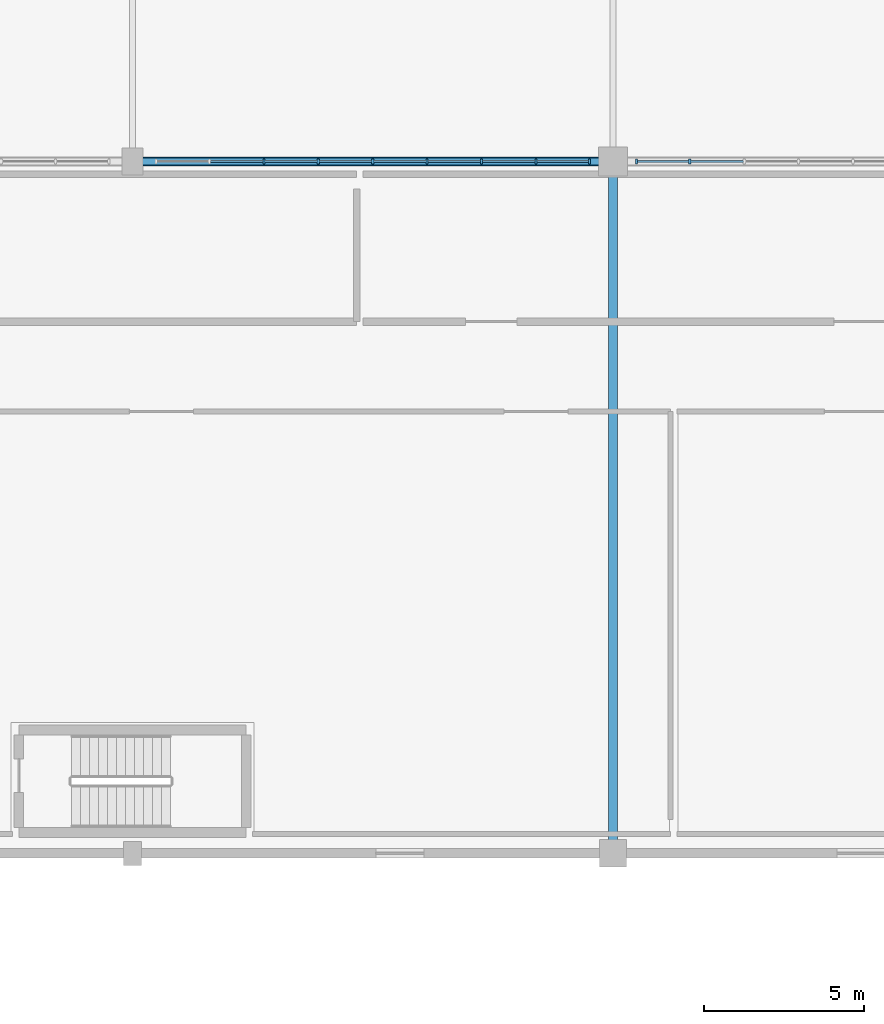
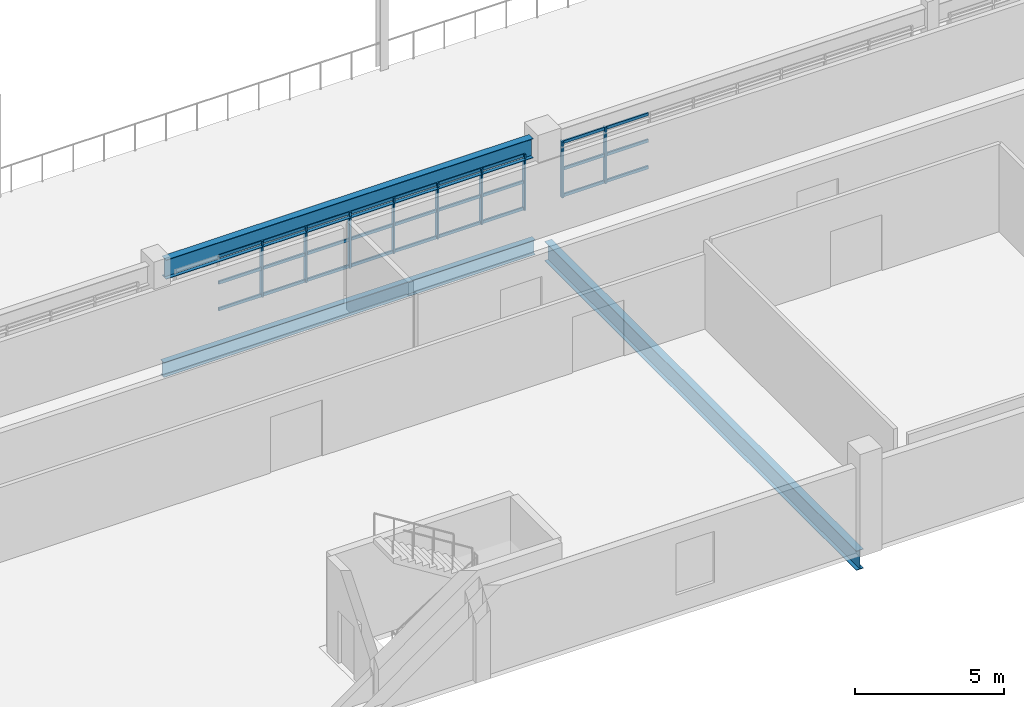
# One storey, part 11 of 92: 36 members, 3 beams, 2 elements without a shape of their own.
"""IFC4 building model written with IfcOpenShell, lengths in metres."""

import ifcopenshell
import ifcopenshell.guid

model = None  # the IFC model being written
_history = None  # IfcOwnerHistory: only IFC2X3 demands one
_inside = {}  # id of a spatial element -> (the spatial element, [elements in it])
_under = {}  # id of a project, library or spatial element -> (it, [spatial elements below it])
_declared = {}  # id of a project -> (the project, [libraries it declares])
_typed = {}  # id of a type object -> (the type object, [elements of that type])
_made_of = {}  # id of a material, layer set ... -> (it, [elements and type objects made of it])


def new_model(schema):
    """Start an empty IFC model of exactly this schema.

    Asked for "IFC4X3", IfcOpenShell would pick the latest addendum, in which some entities
    have other attributes; the version numbers below select the first issue.
    IFC2X3 requires an IfcOwnerHistory on every rooted entity: one is made here for all.
    """
    global model, _history
    if schema == "IFC4X3":
        model = ifcopenshell.file(schema_version=(4, 3, 0, 0))
    else:
        model = ifcopenshell.file(schema=schema)
    _inside.clear()
    _under.clear()
    _declared.clear()
    _typed.clear()
    _made_of.clear()
    _history = None
    if model.schema == "IFC2X3":
        org = make("IfcOrganization", Name="unknown")
        user = make(
            "IfcPersonAndOrganization",
            ThePerson=make("IfcPerson", FamilyName="unknown"),
            TheOrganization=org,
        )
        app = make(
            "IfcApplication",
            ApplicationDeveloper=org,
            Version="unknown",
            ApplicationFullName="unknown",
            ApplicationIdentifier="unknown",
        )
        _history = make(
            "IfcOwnerHistory",
            OwningUser=user,
            OwningApplication=app,
            ChangeAction="ADDED",
            CreationDate=0,
        )
    return model


def make(cls, **values):
    """One entity of the class cls with the attributes given. An attribute that is None is left unset."""
    return model.create_entity(
        cls, **{name: value for name, value in values.items() if value is not None}
    )


def rooted(cls, **values):
    """An entity with a GlobalId (a new one), such as an element, a storey or a relation."""
    return make(cls, GlobalId=ifcopenshell.guid.new(), OwnerHistory=_history, **values)


def si_unit(unit_type, name, prefix=None):
    """IfcSIUnit, for example si_unit("LENGTHUNIT", "METRE", prefix="MILLI")."""
    return make("IfcSIUnit", UnitType=unit_type, Prefix=prefix, Name=name)


def assignment(units):
    """IfcUnitAssignment: the units of a project."""
    return None if units is None else make("IfcUnitAssignment", Units=units)


def point(xyz):
    """IfcCartesianPoint."""
    return None if xyz is None else make("IfcCartesianPoint", Coordinates=xyz)


def direction(xyz):
    """IfcDirection."""
    return None if xyz is None else make("IfcDirection", DirectionRatios=xyz)


def frame(location, z_axis=None, x_axis=None):
    """IfcAxis2Placement3D, a coordinate frame: its origin and axes. An axis left out is left unset."""
    return make(
        "IfcAxis2Placement3D",
        Location=point(location),
        Axis=direction(z_axis),
        RefDirection=direction(x_axis),
    )


def frame_2d(location, x_axis=None):
    """IfcAxis2Placement2D, a coordinate frame in the plane: its origin and x axis."""
    return make(
        "IfcAxis2Placement2D", Location=point(location), RefDirection=direction(x_axis)
    )


def origin():
    """The frame at (0, 0, 0) with its axes left unset."""
    return frame((0.0, 0.0, 0.0))


def origin_2d():
    """The frame at (0, 0) in the plane with its x axis left unset."""
    return frame_2d((0.0, 0.0))


def place(relative_to, where):
    """IfcLocalPlacement: puts the frame where relative to a parent placement (None: the world)."""
    return make(
        "IfcLocalPlacement", PlacementRelTo=relative_to, RelativePlacement=where
    )


def context(
    kind, dimensions, precision=None, world=None, true_north=None, identifier=None
):
    """IfcGeometricRepresentationContext, for example the 3D "Model" context."""
    return make(
        "IfcGeometricRepresentationContext",
        ContextIdentifier=identifier,
        ContextType=kind,
        CoordinateSpaceDimension=dimensions,
        Precision=precision,
        WorldCoordinateSystem=world,
        TrueNorth=true_north,
    )


def subcontext(parent, identifier, kind, view, scale=None):
    """IfcGeometricRepresentationSubContext, for example "Body" below "Model"."""
    return make(
        "IfcGeometricRepresentationSubContext",
        ContextIdentifier=identifier,
        ContextType=kind,
        ParentContext=parent,
        TargetScale=scale,
        TargetView=view,
    )


def project(units=None, contexts=None):
    """IfcProject with its units and contexts."""
    return rooted(
        "IfcProject",
        Name="project",
        RepresentationContexts=contexts,
        UnitsInContext=assignment(units),
    )


def spatial(cls, under=None, at=None, **own):
    """A site, building, storey or space (cls), placed at a placement, below another one or the project."""
    s = rooted(cls, ObjectPlacement=at, **own)
    if under is not None:
        _under.setdefault(under.id(), (under, []))[1].append(s)
    return s


def profile(cls, at=None, kind="AREA", **sizes):
    """A parametric profile (cls). Its sizes go by their IFC names, for example OverallWidth=200.0."""
    return make(cls, ProfileType=kind, Position=at, **sizes)


def rectangle(**sizes):
    """IfcRectangleProfileDef."""
    return profile("IfcRectangleProfileDef", **sizes)


def i_section(**sizes):
    """IfcIShapeProfileDef."""
    return profile("IfcIShapeProfileDef", **sizes)


def extrude(swept, where, along, depth):
    """IfcExtrudedAreaSolid: the profile swept, set in the frame where, extruded along a direction by depth."""
    return make(
        "IfcExtrudedAreaSolid",
        SweptArea=swept,
        Position=where,
        ExtrudedDirection=direction(along),
        Depth=depth,
    )


def shape(context_of_items, identifier, shape_type, items):
    """IfcShapeRepresentation: the items that make up one representation, for example the "Body"."""
    return make(
        "IfcShapeRepresentation",
        ContextOfItems=context_of_items,
        RepresentationIdentifier=identifier,
        RepresentationType=shape_type,
        Items=items,
    )


def material(Name=None, Category=None):
    """IfcMaterial."""
    return make("IfcMaterial", Name=Name, Category=Category)


def material_profile(
    of_material, cross_section, Name=None, Category=None, Priority=None
):
    """IfcMaterialProfile: a cross section and its material."""
    return make(
        "IfcMaterialProfile",
        Name=Name,
        Material=of_material,
        Profile=cross_section,
        Priority=Priority,
        Category=Category,
    )


def profile_set(profiles, Name=None, composite=None):
    """IfcMaterialProfileSet."""
    return make(
        "IfcMaterialProfileSet",
        Name=Name,
        MaterialProfiles=profiles,
        CompositeProfile=composite,
    )


def made_of(thing, what):
    """Note that an element or type object is made of a material, layer set ...; save() writes the relation."""
    if what is not None:
        _made_of.setdefault(what.id(), (what, []))[1].append(thing)
    return thing


def type_object(cls, material=None, **own):
    """A type object (cls), such as IfcWallType, which elements share."""
    return made_of(rooted(cls, **own), material)


def element(
    cls,
    number,
    at=None,
    inside=None,
    cuts=None,
    type_object=None,
    material=None,
    context=None,
    identifier="Body",
    shape_type=None,
    held_by="IfcProductDefinitionShape",
    body=None,
    shapes=None,
    **own,
):
    """One element of the class cls, such as IfcWall. Its Tag is "e" and its number.

    at: its placement. inside: the storey or other place that contains it. cuts: it is an
    opening in that element (IfcRelVoidsElement). A single representation is given by context,
    identifier, shape_type and body (its items); several are given by shapes. held_by: the class
    of the entity that holds the representations. save() writes the other relations.
    """
    e = rooted(cls, Tag="e%d" % number, ObjectPlacement=at, **own)
    if body is not None:
        shapes = [shape(context, identifier, shape_type, body)]
    if shapes is not None:
        e.Representation = make(held_by, Representations=shapes)
    if inside is not None:
        _inside.setdefault(inside.id(), (inside, []))[1].append(e)
    if cuts is not None:
        rooted(
            "IfcRelVoidsElement", RelatingBuildingElement=cuts, RelatedOpeningElement=e
        )
    if type_object is not None:
        _typed.setdefault(type_object.id(), (type_object, []))[1].append(e)
    return made_of(e, material)


def aggregate(whole, parts):
    """IfcRelAggregates: a whole, such as a stair, and the parts it consists of."""
    return rooted("IfcRelAggregates", RelatingObject=whole, RelatedObjects=parts)


def save(model, path):
    """Write the relations noted so far, then the file.

    IfcRelAggregates (storeys below a building ...), IfcRelContainedInSpatialStructure (elements
    in a storey), IfcRelDefinesByType, IfcRelAssociatesMaterial and IfcRelDeclares: one each for
    every whole, place, type object, material and project.
    """
    for whole, parts in _under.values():
        aggregate(whole, parts)
    for where, things in _inside.values():
        rooted(
            "IfcRelContainedInSpatialStructure",
            RelatedElements=things,
            RelatingStructure=where,
        )
    for kind, things in _typed.values():
        rooted("IfcRelDefinesByType", RelatedObjects=things, RelatingType=kind)
    for what, things in _made_of.values():
        rooted("IfcRelAssociatesMaterial", RelatedObjects=things, RelatingMaterial=what)
    for by, libraries in _declared.values():
        rooted("IfcRelDeclares", RelatingContext=by, RelatedDefinitions=libraries)
    model.write(path)


model = new_model("IFC4")

# Units and contexts
model_context = context("Model", 3, precision=1e-05, world=origin(), true_north=direction((0.0, 1.0)))
body_context = subcontext(model_context, "Body", "Model", "MODEL_VIEW")
ifc_project = project(units=[si_unit("LENGTHUNIT", "METRE"), si_unit("AREAUNIT", "SQUARE_METRE"), si_unit("VOLUMEUNIT", "CUBIC_METRE"), si_unit("PLANEANGLEUNIT", "RADIAN"), si_unit("MASSUNIT", "GRAM", prefix="KILO")], contexts=[model_context])

# Site, building, storey
site_placement = place(None, origin())
site = spatial("IfcSite", under=ifc_project, at=site_placement, CompositionType="ELEMENT")
building_placement = place(site_placement, origin())
building = spatial("IfcBuilding", under=site, at=building_placement, Name="Solanera Park Tramway Depot", CompositionType="ELEMENT")
storey_placement = place(building_placement, frame((0.0, 0.0, 4.800048828125)))
storey = spatial("IfcBuildingStorey", under=building, at=storey_placement, Name="L01", CompositionType="ELEMENT", Elevation=4.800048828125)

# Curtain wall, members
ifc_material_1 = material(Name="Bronze-anodised thermally broken aluminium curtain wall", Category="aluminium")
curtain_wall_type = type_object("IfcCurtainWallType", Name="Workshop Daylight Ribbon Curtain Wall", PredefinedType="NOTDEFINED", material=ifc_material_1)
curtain_wall_1_placement = place(storey_placement, origin())
curtain_wall_1 = element("IfcCurtainWall", 1, at=curtain_wall_1_placement, inside=storey, type_object=curtain_wall_type, Name="L01 Workshop Daylight Ribbon Curtain Wall #147", PredefinedType="NOTDEFINED")
ifc_material_2 = material(Name="Bronze-anodised structural aluminium 6063-T6", Category="aluminium")
ifc_material_profile_1 = material_profile(ifc_material_2, rectangle(XDim=0.06494140625, YDim=0.14990234375, at=origin_2d()), Name="Curtain Wall Mullion 65x150")
ifc_profile_set_1 = profile_set([ifc_material_profile_1], Name="Bronze-anodised structural aluminium 6063-T6")
member_type_1 = type_object("IfcMemberType", Name="Curtain Wall Mullion 65x150", PredefinedType="MULLION", material=ifc_profile_set_1)
member_1_placement = place(storey_placement, frame((49.10009765625, 32.39990234375, 1.0), z_axis=(0.0, 0.0, 1.0), x_axis=(1.0, 0.0, 0.0)))
member_1 = element("IfcMember", 2, at=member_1_placement, type_object=member_type_1, Name="CW-L01-147 Mullion 3", PredefinedType="MULLION", context=body_context, shape_type="SweptSolid", body=[
    extrude(rectangle(XDim=0.06494140625, YDim=0.14990234375, at=origin_2d()), origin(), (0.0, 0.0, 1.0), 2.300048828125),
])
member_2_placement = place(storey_placement, frame((50.800048828125, 32.39990234375, 1.0), z_axis=(0.0, 0.0, 1.0), x_axis=(1.0, 0.0, 0.0)))
member_2 = element("IfcMember", 3, at=member_2_placement, type_object=member_type_1, Name="CW-L01-147 Mullion 4", PredefinedType="MULLION", context=body_context, shape_type="SweptSolid", body=[
    extrude(rectangle(XDim=0.06494140625, YDim=0.14990234375, at=origin_2d()), origin(), (0.0, 0.0, 1.0), 2.300048828125),
])
member_3_placement = place(storey_placement, frame((52.5, 32.39990234375, 1.0), z_axis=(0.0, 0.0, 1.0), x_axis=(1.0, 0.0, 0.0)))
member_3 = element("IfcMember", 4, at=member_3_placement, type_object=member_type_1, Name="CW-L01-147 Mullion 5", PredefinedType="MULLION", context=body_context, shape_type="SweptSolid", body=[
    extrude(rectangle(XDim=0.06494140625, YDim=0.14990234375, at=origin_2d()), origin(), (0.0, 0.0, 1.0), 2.300048828125),
])
member_4_placement = place(storey_placement, frame((54.199951171875, 32.39990234375, 1.0), z_axis=(0.0, 0.0, 1.0), x_axis=(1.0, 0.0, 0.0)))
member_4 = element("IfcMember", 5, at=member_4_placement, type_object=member_type_1, Name="CW-L01-147 Mullion 6", PredefinedType="MULLION", context=body_context, shape_type="SweptSolid", body=[
    extrude(rectangle(XDim=0.06494140625, YDim=0.14990234375, at=origin_2d()), origin(), (0.0, 0.0, 1.0), 2.300048828125),
])
member_5_placement = place(storey_placement, frame((55.89990234375, 32.39990234375, 1.0), z_axis=(0.0, 0.0, 1.0), x_axis=(1.0, 0.0, 0.0)))
member_5 = element("IfcMember", 6, at=member_5_placement, type_object=member_type_1, Name="CW-L01-147 Mullion 7", PredefinedType="MULLION", context=body_context, shape_type="SweptSolid", body=[
    extrude(rectangle(XDim=0.06494140625, YDim=0.14990234375, at=origin_2d()), origin(), (0.0, 0.0, 1.0), 2.300048828125),
])
member_6_placement = place(storey_placement, frame((57.60009765625, 32.39990234375, 1.0), z_axis=(0.0, 0.0, 1.0), x_axis=(1.0, 0.0, 0.0)))
member_6 = element("IfcMember", 7, at=member_6_placement, type_object=member_type_1, Name="CW-L01-147 Mullion 8", PredefinedType="MULLION", context=body_context, shape_type="SweptSolid", body=[
    extrude(rectangle(XDim=0.06494140625, YDim=0.14990234375, at=origin_2d()), origin(), (0.0, 0.0, 1.0), 2.300048828125),
])
member_7_placement = place(storey_placement, frame((59.267578125, 32.39990234375, 1.0), z_axis=(0.0, 0.0, 1.0), x_axis=(1.0, 0.0, 0.0)))
member_7 = element("IfcMember", 8, at=member_7_placement, type_object=member_type_1, Name="CW-L01-147 Mullion 9", PredefinedType="MULLION", context=body_context, shape_type="SweptSolid", body=[
    extrude(rectangle(XDim=0.06494140625, YDim=0.14990234375, at=origin_2d()), origin(), (0.0, 0.0, 1.0), 2.300048828125),
])

curtain_wall_2_placement = place(storey_placement, origin())
curtain_wall_2 = element("IfcCurtainWall", 9, at=curtain_wall_2_placement, inside=storey, type_object=curtain_wall_type, Name="L01 Workshop Daylight Ribbon Curtain Wall #149", PredefinedType="NOTDEFINED")
member_8_placement = place(storey_placement, frame((60.732421875, 32.39990234375, 1.0), z_axis=(0.0, 0.0, 1.0), x_axis=(1.0, 0.0, 0.0)))
member_8 = element("IfcMember", 10, at=member_8_placement, type_object=member_type_1, Name="CW-L01-149 Mullion 1", PredefinedType="MULLION", context=body_context, shape_type="SweptSolid", body=[
    extrude(rectangle(XDim=0.06494140625, YDim=0.14990234375, at=origin_2d()), origin(), (0.0, 0.0, 1.0), 2.300048828125),
])
member_9_placement = place(storey_placement, frame((62.39990234375, 32.39990234375, 1.0), z_axis=(0.0, 0.0, 1.0), x_axis=(1.0, 0.0, 0.0)))
member_9 = element("IfcMember", 11, at=member_9_placement, type_object=member_type_1, Name="CW-L01-149 Mullion 2", PredefinedType="MULLION", context=body_context, shape_type="SweptSolid", body=[
    extrude(rectangle(XDim=0.06494140625, YDim=0.14990234375, at=origin_2d()), origin(), (0.0, 0.0, 1.0), 2.300048828125),
])

# Member
ifc_material_3 = material(Name="Bronze-anodised structural aluminium 6063-T6", Category="aluminium")
ifc_material_profile_2 = material_profile(ifc_material_3, rectangle(XDim=0.06494140625, YDim=0.1201171875, at=origin_2d()), Name="Curtain Wall Transom 65x120")
ifc_profile_set_2 = profile_set([ifc_material_profile_2], Name="Bronze-anodised structural aluminium 6063-T6")
member_type_2 = type_object("IfcMemberType", Name="Curtain Wall Transom 65x120", PredefinedType="USERDEFINED", material=ifc_profile_set_2)
member_10_placement = place(storey_placement, frame((47.427978515625, 32.39990234375, 1.06005859375), z_axis=(1.0, 0.0, 0.0), x_axis=(0.0, 1.0, 0.0)))
member_10 = element("IfcMember", 12, at=member_10_placement, type_object=member_type_2, Name="CW-L01-147 Transom R1.C2", ObjectType="TRANSOM", PredefinedType="USERDEFINED", context=body_context, shape_type="SweptSolid", body=[
    extrude(rectangle(XDim=0.06494140625, YDim=0.1201171875, at=origin_2d()), origin(), (0.0, 0.0, 1.0), 1.64404296875),
])

member_11_placement = place(storey_placement, frame((49.1279296875, 32.39990234375, 1.06005859375), z_axis=(1.0, 0.0, 0.0), x_axis=(0.0, 1.0, 0.0)))
member_11 = element("IfcMember", 13, at=member_11_placement, type_object=member_type_2, Name="CW-L01-147 Transom R1.C3", ObjectType="TRANSOM", PredefinedType="USERDEFINED", context=body_context, shape_type="SweptSolid", body=[
    extrude(rectangle(XDim=0.06494140625, YDim=0.1201171875, at=origin_2d()), origin(), (0.0, 0.0, 1.0), 1.64404296875),
])

member_12_placement = place(storey_placement, frame((50.827880859375, 32.39990234375, 1.06005859375), z_axis=(1.0, 0.0, 0.0), x_axis=(0.0, 1.0, 0.0)))
member_12 = element("IfcMember", 14, at=member_12_placement, type_object=member_type_2, Name="CW-L01-147 Transom R1.C4", ObjectType="TRANSOM", PredefinedType="USERDEFINED", context=body_context, shape_type="SweptSolid", body=[
    extrude(rectangle(XDim=0.06494140625, YDim=0.1201171875, at=origin_2d()), origin(), (0.0, 0.0, 1.0), 1.64404296875),
])

member_13_placement = place(storey_placement, frame((52.528076171875, 32.39990234375, 1.06005859375), z_axis=(1.0, 0.0, 0.0), x_axis=(0.0, 1.0, 0.0)))
member_13 = element("IfcMember", 15, at=member_13_placement, type_object=member_type_2, Name="CW-L01-147 Transom R1.C5", ObjectType="TRANSOM", PredefinedType="USERDEFINED", context=body_context, shape_type="SweptSolid", body=[
    extrude(rectangle(XDim=0.06494140625, YDim=0.1201171875, at=origin_2d()), origin(), (0.0, 0.0, 1.0), 1.64404296875),
])

member_14_placement = place(storey_placement, frame((54.22802734375, 32.39990234375, 1.06005859375), z_axis=(1.0, 0.0, 0.0), x_axis=(0.0, 1.0, 0.0)))
member_14 = element("IfcMember", 16, at=member_14_placement, type_object=member_type_2, Name="CW-L01-147 Transom R1.C6", ObjectType="TRANSOM", PredefinedType="USERDEFINED", context=body_context, shape_type="SweptSolid", body=[
    extrude(rectangle(XDim=0.06494140625, YDim=0.1201171875, at=origin_2d()), origin(), (0.0, 0.0, 1.0), 1.64404296875),
])

member_15_placement = place(storey_placement, frame((55.927978515625, 32.39990234375, 1.06005859375), z_axis=(1.0, 0.0, 0.0), x_axis=(0.0, 1.0, 0.0)))
member_15 = element("IfcMember", 17, at=member_15_placement, type_object=member_type_2, Name="CW-L01-147 Transom R1.C7", ObjectType="TRANSOM", PredefinedType="USERDEFINED", context=body_context, shape_type="SweptSolid", body=[
    extrude(rectangle(XDim=0.06494140625, YDim=0.1201171875, at=origin_2d()), origin(), (0.0, 0.0, 1.0), 1.64404296875),
])

member_16_placement = place(storey_placement, frame((57.6279296875, 32.39990234375, 1.06005859375), z_axis=(1.0, 0.0, 0.0), x_axis=(0.0, 1.0, 0.0)))
member_16 = element("IfcMember", 18, at=member_16_placement, type_object=member_type_2, Name="CW-L01-147 Transom R1.C8", ObjectType="TRANSOM", PredefinedType="USERDEFINED", context=body_context, shape_type="SweptSolid", body=[
    extrude(rectangle(XDim=0.06494140625, YDim=0.1201171875, at=origin_2d()), origin(), (0.0, 0.0, 1.0), 1.611572265625),
])

member_17_placement = place(storey_placement, frame((47.427978515625, 32.39990234375, 2.14990234375), z_axis=(1.0, 0.0, 0.0), x_axis=(0.0, 1.0, 0.0)))
member_17 = element("IfcMember", 19, at=member_17_placement, type_object=member_type_2, Name="CW-L01-147 Transom R2.C2", ObjectType="TRANSOM", PredefinedType="USERDEFINED", context=body_context, shape_type="SweptSolid", body=[
    extrude(rectangle(XDim=0.06494140625, YDim=0.1201171875, at=origin_2d()), origin(), (0.0, 0.0, 1.0), 1.64404296875),
])

member_18_placement = place(storey_placement, frame((49.1279296875, 32.39990234375, 2.14990234375), z_axis=(1.0, 0.0, 0.0), x_axis=(0.0, 1.0, 0.0)))
member_18 = element("IfcMember", 20, at=member_18_placement, type_object=member_type_2, Name="CW-L01-147 Transom R2.C3", ObjectType="TRANSOM", PredefinedType="USERDEFINED", context=body_context, shape_type="SweptSolid", body=[
    extrude(rectangle(XDim=0.06494140625, YDim=0.1201171875, at=origin_2d()), origin(), (0.0, 0.0, 1.0), 1.64404296875),
])

member_19_placement = place(storey_placement, frame((50.827880859375, 32.39990234375, 2.14990234375), z_axis=(1.0, 0.0, 0.0), x_axis=(0.0, 1.0, 0.0)))
member_19 = element("IfcMember", 21, at=member_19_placement, type_object=member_type_2, Name="CW-L01-147 Transom R2.C4", ObjectType="TRANSOM", PredefinedType="USERDEFINED", context=body_context, shape_type="SweptSolid", body=[
    extrude(rectangle(XDim=0.06494140625, YDim=0.1201171875, at=origin_2d()), origin(), (0.0, 0.0, 1.0), 1.64404296875),
])

member_20_placement = place(storey_placement, frame((52.528076171875, 32.39990234375, 2.14990234375), z_axis=(1.0, 0.0, 0.0), x_axis=(0.0, 1.0, 0.0)))
member_20 = element("IfcMember", 22, at=member_20_placement, type_object=member_type_2, Name="CW-L01-147 Transom R2.C5", ObjectType="TRANSOM", PredefinedType="USERDEFINED", context=body_context, shape_type="SweptSolid", body=[
    extrude(rectangle(XDim=0.06494140625, YDim=0.1201171875, at=origin_2d()), origin(), (0.0, 0.0, 1.0), 1.64404296875),
])

member_21_placement = place(storey_placement, frame((54.22802734375, 32.39990234375, 2.14990234375), z_axis=(1.0, 0.0, 0.0), x_axis=(0.0, 1.0, 0.0)))
member_21 = element("IfcMember", 23, at=member_21_placement, type_object=member_type_2, Name="CW-L01-147 Transom R2.C6", ObjectType="TRANSOM", PredefinedType="USERDEFINED", context=body_context, shape_type="SweptSolid", body=[
    extrude(rectangle(XDim=0.06494140625, YDim=0.1201171875, at=origin_2d()), origin(), (0.0, 0.0, 1.0), 1.64404296875),
])

member_22_placement = place(storey_placement, frame((55.927978515625, 32.39990234375, 2.14990234375), z_axis=(1.0, 0.0, 0.0), x_axis=(0.0, 1.0, 0.0)))
member_22 = element("IfcMember", 24, at=member_22_placement, type_object=member_type_2, Name="CW-L01-147 Transom R2.C7", ObjectType="TRANSOM", PredefinedType="USERDEFINED", context=body_context, shape_type="SweptSolid", body=[
    extrude(rectangle(XDim=0.06494140625, YDim=0.1201171875, at=origin_2d()), origin(), (0.0, 0.0, 1.0), 1.64404296875),
])

member_23_placement = place(storey_placement, frame((57.6279296875, 32.39990234375, 2.14990234375), z_axis=(1.0, 0.0, 0.0), x_axis=(0.0, 1.0, 0.0)))
member_23 = element("IfcMember", 25, at=member_23_placement, type_object=member_type_2, Name="CW-L01-147 Transom R2.C8", ObjectType="TRANSOM", PredefinedType="USERDEFINED", context=body_context, shape_type="SweptSolid", body=[
    extrude(rectangle(XDim=0.06494140625, YDim=0.1201171875, at=origin_2d()), origin(), (0.0, 0.0, 1.0), 1.611572265625),
])

member_24_placement = place(storey_placement, frame((47.427978515625, 32.39990234375, 3.239990234375), z_axis=(1.0, 0.0, 0.0), x_axis=(0.0, 1.0, 0.0)))
member_24 = element("IfcMember", 26, at=member_24_placement, type_object=member_type_2, Name="CW-L01-147 Transom R3.C2", ObjectType="TRANSOM", PredefinedType="USERDEFINED", context=body_context, shape_type="SweptSolid", body=[
    extrude(rectangle(XDim=0.06494140625, YDim=0.1201171875, at=origin_2d()), origin(), (0.0, 0.0, 1.0), 1.64404296875),
])

member_25_placement = place(storey_placement, frame((49.1279296875, 32.39990234375, 3.239990234375), z_axis=(1.0, 0.0, 0.0), x_axis=(0.0, 1.0, 0.0)))
member_25 = element("IfcMember", 27, at=member_25_placement, type_object=member_type_2, Name="CW-L01-147 Transom R3.C3", ObjectType="TRANSOM", PredefinedType="USERDEFINED", context=body_context, shape_type="SweptSolid", body=[
    extrude(rectangle(XDim=0.06494140625, YDim=0.1201171875, at=origin_2d()), origin(), (0.0, 0.0, 1.0), 1.64404296875),
])

member_26_placement = place(storey_placement, frame((50.827880859375, 32.39990234375, 3.239990234375), z_axis=(1.0, 0.0, 0.0), x_axis=(0.0, 1.0, 0.0)))
member_26 = element("IfcMember", 28, at=member_26_placement, type_object=member_type_2, Name="CW-L01-147 Transom R3.C4", ObjectType="TRANSOM", PredefinedType="USERDEFINED", context=body_context, shape_type="SweptSolid", body=[
    extrude(rectangle(XDim=0.06494140625, YDim=0.1201171875, at=origin_2d()), origin(), (0.0, 0.0, 1.0), 1.64404296875),
])

member_27_placement = place(storey_placement, frame((52.528076171875, 32.39990234375, 3.239990234375), z_axis=(1.0, 0.0, 0.0), x_axis=(0.0, 1.0, 0.0)))
member_27 = element("IfcMember", 29, at=member_27_placement, type_object=member_type_2, Name="CW-L01-147 Transom R3.C5", ObjectType="TRANSOM", PredefinedType="USERDEFINED", context=body_context, shape_type="SweptSolid", body=[
    extrude(rectangle(XDim=0.06494140625, YDim=0.1201171875, at=origin_2d()), origin(), (0.0, 0.0, 1.0), 1.64404296875),
])

member_28_placement = place(storey_placement, frame((54.22802734375, 32.39990234375, 3.239990234375), z_axis=(1.0, 0.0, 0.0), x_axis=(0.0, 1.0, 0.0)))
member_28 = element("IfcMember", 30, at=member_28_placement, type_object=member_type_2, Name="CW-L01-147 Transom R3.C6", ObjectType="TRANSOM", PredefinedType="USERDEFINED", context=body_context, shape_type="SweptSolid", body=[
    extrude(rectangle(XDim=0.06494140625, YDim=0.1201171875, at=origin_2d()), origin(), (0.0, 0.0, 1.0), 1.64404296875),
])

member_29_placement = place(storey_placement, frame((55.927978515625, 32.39990234375, 3.239990234375), z_axis=(1.0, 0.0, 0.0), x_axis=(0.0, 1.0, 0.0)))
member_29 = element("IfcMember", 31, at=member_29_placement, type_object=member_type_2, Name="CW-L01-147 Transom R3.C7", ObjectType="TRANSOM", PredefinedType="USERDEFINED", context=body_context, shape_type="SweptSolid", body=[
    extrude(rectangle(XDim=0.06494140625, YDim=0.1201171875, at=origin_2d()), origin(), (0.0, 0.0, 1.0), 1.64404296875),
])

member_30_placement = place(storey_placement, frame((57.6279296875, 32.39990234375, 3.239990234375), z_axis=(1.0, 0.0, 0.0), x_axis=(0.0, 1.0, 0.0)))
member_30 = element("IfcMember", 32, at=member_30_placement, type_object=member_type_2, Name="CW-L01-147 Transom R3.C8", ObjectType="TRANSOM", PredefinedType="USERDEFINED", context=body_context, shape_type="SweptSolid", body=[
    extrude(rectangle(XDim=0.06494140625, YDim=0.1201171875, at=origin_2d()), origin(), (0.0, 0.0, 1.0), 1.611572265625),
])

aggregate(curtain_wall_1, [member_1, member_2, member_3, member_4, member_5, member_6, member_7, member_10, member_11, member_12, member_13, member_14, member_15, member_16, member_17, member_18, member_19, member_20, member_21, member_22, member_23, member_24, member_25, member_26, member_27, member_28, member_29, member_30])

member_31_placement = place(storey_placement, frame((60.760498046875, 32.39990234375, 1.06005859375), z_axis=(1.0, 0.0, 0.0), x_axis=(0.0, 1.0, 0.0)))
member_31 = element("IfcMember", 33, at=member_31_placement, type_object=member_type_2, Name="CW-L01-149 Transom R1.C1", ObjectType="TRANSOM", PredefinedType="USERDEFINED", context=body_context, shape_type="SweptSolid", body=[
    extrude(rectangle(XDim=0.06494140625, YDim=0.1201171875, at=origin_2d()), origin(), (0.0, 0.0, 1.0), 1.611572265625),
])

member_32_placement = place(storey_placement, frame((62.427978515625, 32.39990234375, 1.06005859375), z_axis=(1.0, 0.0, 0.0), x_axis=(0.0, 1.0, 0.0)))
member_32 = element("IfcMember", 34, at=member_32_placement, type_object=member_type_2, Name="CW-L01-149 Transom R1.C2", ObjectType="TRANSOM", PredefinedType="USERDEFINED", context=body_context, shape_type="SweptSolid", body=[
    extrude(rectangle(XDim=0.06494140625, YDim=0.1201171875, at=origin_2d()), origin(), (0.0, 0.0, 1.0), 1.64404296875),
])

member_33_placement = place(storey_placement, frame((60.760498046875, 32.39990234375, 2.14990234375), z_axis=(1.0, 0.0, 0.0), x_axis=(0.0, 1.0, 0.0)))
member_33 = element("IfcMember", 35, at=member_33_placement, type_object=member_type_2, Name="CW-L01-149 Transom R2.C1", ObjectType="TRANSOM", PredefinedType="USERDEFINED", context=body_context, shape_type="SweptSolid", body=[
    extrude(rectangle(XDim=0.06494140625, YDim=0.1201171875, at=origin_2d()), origin(), (0.0, 0.0, 1.0), 1.611572265625),
])

member_34_placement = place(storey_placement, frame((62.427978515625, 32.39990234375, 2.14990234375), z_axis=(1.0, 0.0, 0.0), x_axis=(0.0, 1.0, 0.0)))
member_34 = element("IfcMember", 36, at=member_34_placement, type_object=member_type_2, Name="CW-L01-149 Transom R2.C2", ObjectType="TRANSOM", PredefinedType="USERDEFINED", context=body_context, shape_type="SweptSolid", body=[
    extrude(rectangle(XDim=0.06494140625, YDim=0.1201171875, at=origin_2d()), origin(), (0.0, 0.0, 1.0), 1.64404296875),
])

member_35_placement = place(storey_placement, frame((60.760498046875, 32.39990234375, 3.239990234375), z_axis=(1.0, 0.0, 0.0), x_axis=(0.0, 1.0, 0.0)))
member_35 = element("IfcMember", 37, at=member_35_placement, type_object=member_type_2, Name="CW-L01-149 Transom R3.C1", ObjectType="TRANSOM", PredefinedType="USERDEFINED", context=body_context, shape_type="SweptSolid", body=[
    extrude(rectangle(XDim=0.06494140625, YDim=0.1201171875, at=origin_2d()), origin(), (0.0, 0.0, 1.0), 1.611572265625),
])

member_36_placement = place(storey_placement, frame((62.427978515625, 32.39990234375, 3.239990234375), z_axis=(1.0, 0.0, 0.0), x_axis=(0.0, 1.0, 0.0)))
member_36 = element("IfcMember", 38, at=member_36_placement, type_object=member_type_2, Name="CW-L01-149 Transom R3.C2", ObjectType="TRANSOM", PredefinedType="USERDEFINED", context=body_context, shape_type="SweptSolid", body=[
    extrude(rectangle(XDim=0.06494140625, YDim=0.1201171875, at=origin_2d()), origin(), (0.0, 0.0, 1.0), 1.64404296875),
])

aggregate(curtain_wall_2, [member_8, member_9, member_31, member_32, member_33, member_34, member_35, member_36])

# Beams
ifc_material_4 = material(Name="Steel AS/NZS 3679.1 Grade 350", Category="steel")
ifc_material_profile_3 = material_profile(ifc_material_4, i_section(OverallWidth=0.22900390625, OverallDepth=0.611572265625, WebThickness=0.011962890625, FlangeThickness=0.01953125, at=origin_2d()), Name="610UB125")
ifc_profile_set_3 = profile_set([ifc_material_profile_3], Name="Steel AS/NZS 3679.1 Grade 350")
beam_type_1 = type_object("IfcBeamType", Name="Steel Beam 610UB125", PredefinedType="BEAM", material=ifc_profile_set_3)
beam_1_placement = place(storey_placement, frame((45.25, 32.39990234375, -0.60986328125), z_axis=(1.0, 0.0, 0.0), x_axis=(0.0, 1.0, 0.0)))
element("IfcBeam", 39, at=beam_1_placement, inside=storey, type_object=beam_type_1, Name="L01 Primary X-Girder 610UB125 #0017", PredefinedType="BEAM", context=body_context, shape_type="SweptSolid", body=[
    extrude(i_section(OverallWidth=0.22900390625, OverallDepth=0.611572265625, WebThickness=0.011962890625, FlangeThickness=0.01953125, at=origin_2d()), origin(), (0.0, 0.0, 1.0), 14.39990234375),
])
ifc_material_5 = material(Name="Steel AS/NZS 3679.1 Grade 350", Category="steel")
ifc_material_profile_4 = material_profile(ifc_material_5, i_section(OverallWidth=0.27490234375, OverallDepth=0.800048828125, WebThickness=0.010009765625, FlangeThickness=0.02001953125, at=origin_2d()), Name="800WB146")
ifc_profile_set_4 = profile_set([ifc_material_profile_4], Name="Steel AS/NZS 3679.1 Grade 350")
beam_type_2 = type_object("IfcBeamType", Name="Steel Beam 800WB146", PredefinedType="BEAM", material=ifc_profile_set_4)
beam_2_placement = place(storey_placement, frame((60.0, 11.125, -0.7041015625), z_axis=(0.0, 1.0, 0.0), x_axis=(-1.0, 0.0, 0.0)))
element("IfcBeam", 40, at=beam_2_placement, inside=storey, type_object=beam_type_2, Name="L01 Primary Y-Girder 800WB146 #0046", PredefinedType="BEAM", context=body_context, shape_type="SweptSolid", body=[
    extrude(i_section(OverallWidth=0.27490234375, OverallDepth=0.800048828125, WebThickness=0.010009765625, FlangeThickness=0.02001953125, at=origin_2d()), origin(), (0.0, 0.0, 1.0), 20.925048828125),
])
beam_3_placement = place(storey_placement, frame((45.324951171875, 32.39990234375, 3.494873046875), z_axis=(1.0, 0.0, 0.0), x_axis=(0.0, 1.0, 0.0)))
element("IfcBeam", 41, at=beam_3_placement, inside=storey, type_object=beam_type_2, Name="Bridge Crane Runway Girder 800WB146 #0407", PredefinedType="BEAM", context=body_context, shape_type="SweptSolid", body=[
    extrude(i_section(OverallWidth=0.27490234375, OverallDepth=0.800048828125, WebThickness=0.010009765625, FlangeThickness=0.02001953125, at=origin_2d()), origin(), (0.0, 0.0, 1.0), 14.22509765625),
])

save(model, "model.ifc")
